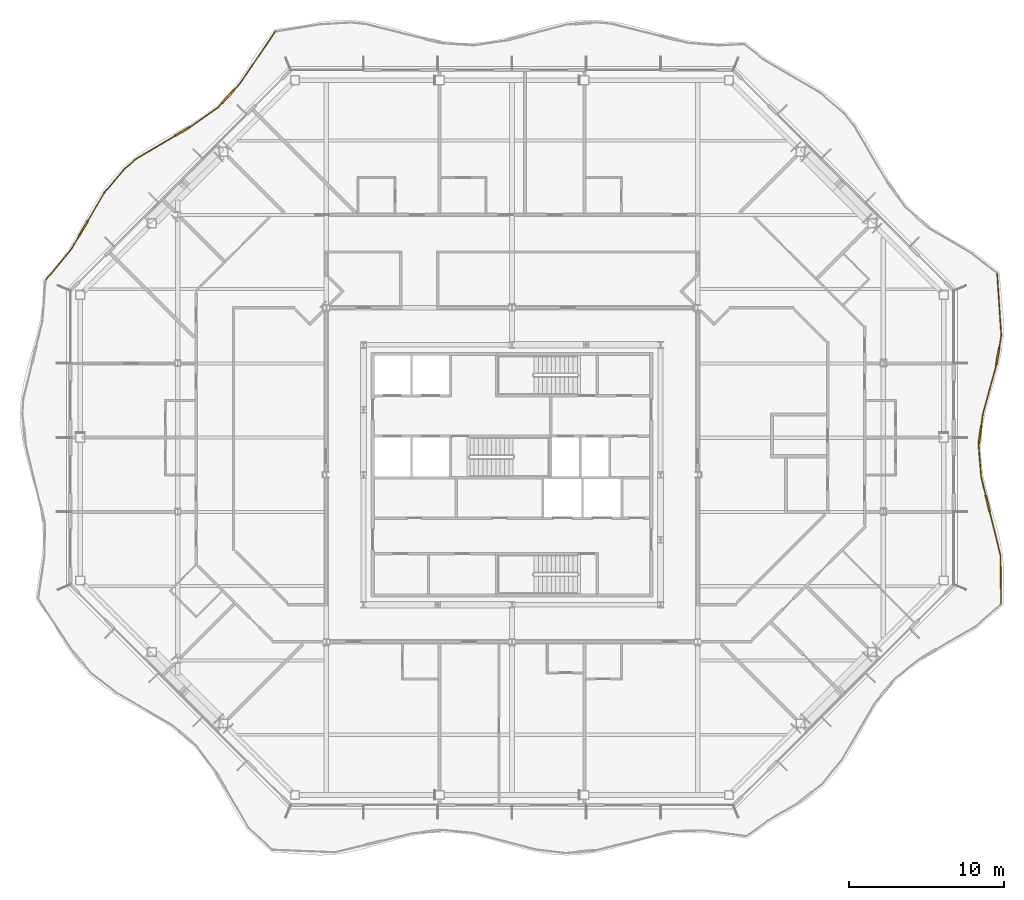
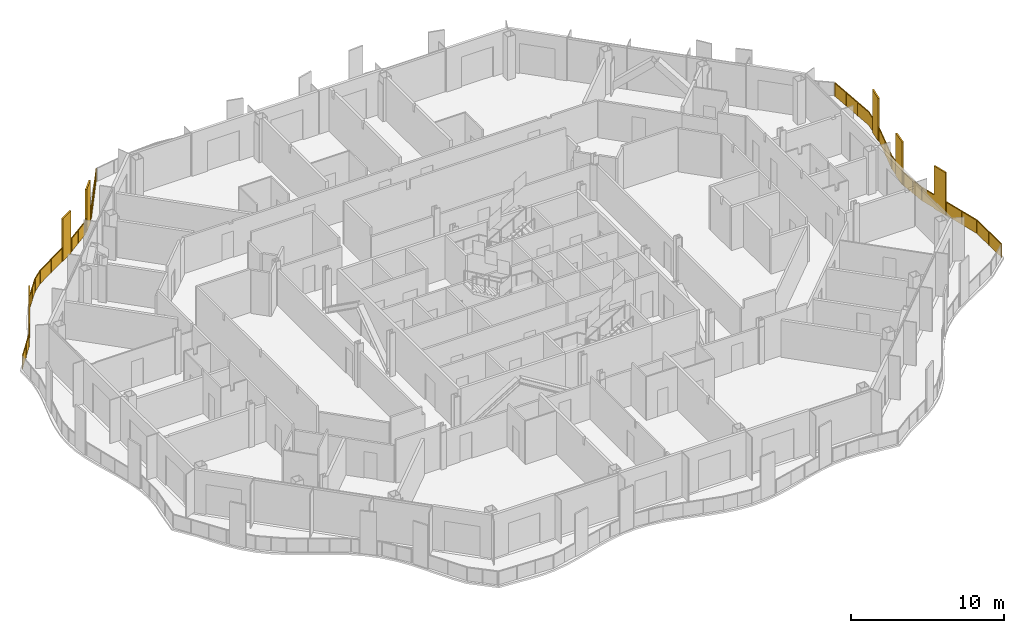
# One storey, part 19 of 20: 2 railings.
"""IFC4 building model written with IfcOpenShell, lengths in metres."""

from ifc_helpers import new_model, si_unit, direction, frame, origin, origin_2d, place, context, subcontext, project, spatial, polyline, rectangle, outline, extrude, material, type_object, element, save


model = new_model("IFC4")

# Units and contexts
model_context = context("Model", 3, precision=1e-05, world=origin(), true_north=direction((0.0, 1.0)))
body_context = subcontext(model_context, "Body", "Model", "MODEL_VIEW")
ifc_project = project(units=[si_unit("LENGTHUNIT", "METRE"), si_unit("AREAUNIT", "SQUARE_METRE"), si_unit("VOLUMEUNIT", "CUBIC_METRE"), si_unit("PLANEANGLEUNIT", "RADIAN"), si_unit("MASSUNIT", "GRAM", prefix="KILO")], contexts=[model_context])

# Site, building, storey
site_placement = place(None, origin())
site = spatial("IfcSite", under=ifc_project, at=site_placement, CompositionType="ELEMENT")
building_placement = place(site_placement, origin())
building = spatial("IfcBuilding", under=site, at=building_placement, Name="Cairn Pilgrim Tower", CompositionType="ELEMENT")
storey_placement = place(building_placement, frame((0.0, 0.0, 165.0)))
storey = spatial("IfcBuildingStorey", under=building, at=storey_placement, Name="L41", CompositionType="ELEMENT", Elevation=165.0)

# Railings
ifc_material = material(Name="Bronze anodised aluminium rail, posts and fin screens with laminated glass infill", Category="aluminium")
railing_type = type_object("IfcRailingType", Name="BALCONY GUARD WITH FIN SCREENS", PredefinedType="GUARDRAIL", material=ifc_material)
railing_1_placement = place(storey_placement, frame((38.80908203125, -5.958740234375, 0.0)))
element("IfcRailing", 1, at=railing_1_placement, inside=storey, type_object=railing_type, Name="Balcony guard BGF-3 with fin screens", PredefinedType="GUARDRAIL", context=body_context, shape_type="SweptSolid", body=[
    extrude(rectangle(XDim=0.050048828125, YDim=0.050048828125, at=origin_2d()), frame((0.0, 0.0, 1.0751953125), z_axis=(-0.012280859678, 0.999924587399, 0.0), x_axis=(-0.999924587399, -0.012280859678, 0.0)), (0.0, 0.0, 1.0), 3.160888671875),
    extrude(rectangle(XDim=1.10009765625, YDim=0.110107421875, at=origin_2d()), frame((-0.863525390625, 6.5009765625, 0.0), z_axis=(0.0, 0.0, 1.0), x_axis=(-0.239728091287, 0.970840070376, 0.0)), (0.0, 0.0, 1.0), 3.39990234375),
    extrude(rectangle(XDim=0.050048828125, YDim=0.050048828125, at=origin_2d()), frame((-0.038818359375, 3.16064453125, 1.0751953125), z_axis=(-0.239728091287, 0.970840070376, 0.0), x_axis=(-0.970840070376, -0.239728091287, 0.0)), (0.0, 0.0, 1.0), 2.890625),
    extrude(rectangle(XDim=0.050048828125, YDim=0.050048828125, at=origin_2d()), frame((-0.995361328125, 7.034912109375, 1.0751953125), z_axis=(-0.239728091287, 0.970840070376, 0.0), x_axis=(-0.970840070376, -0.239728091287, 0.0)), (0.0, 0.0, 1.0), 1.208251953125),
    extrude(rectangle(XDim=0.050048828125, YDim=0.050048828125, at=origin_2d()), frame((-1.28515625, 8.2080078125, 1.0751953125), z_axis=(-0.083094599713, 0.996541663704, 0.0), x_axis=(-0.996541663704, -0.083094599713, 0.0)), (0.0, 0.0, 1.0), 2.056640625),
    extrude(rectangle(XDim=1.10009765625, YDim=0.110107421875, at=origin_2d()), frame((-1.36083984375, 10.950927734375, 0.0), z_axis=(0.0, 0.0, 1.0), x_axis=(0.135977747115, 0.990711891667, 0.0)), (0.0, 0.0, 1.0), 3.39990234375),
    extrude(rectangle(XDim=0.050048828125, YDim=0.050048828125, at=origin_2d()), frame((-1.4560546875, 10.257568359375, 1.0751953125), z_axis=(0.135977747115, 0.990711891667, 0.0), x_axis=(-0.990711891667, 0.135977747115, 0.0)), (0.0, 0.0, 1.0), 0.14990234375),
    extrude(rectangle(XDim=0.050048828125, YDim=0.050048828125, at=origin_2d()), frame((-1.2861328125, 11.495849609375, 1.0751953125), z_axis=(0.135977747115, 0.990711891667, 0.0), x_axis=(-0.990711891667, 0.135977747115, 0.0)), (0.0, 0.0, 1.0), 0.816650390625),
    extrude(rectangle(XDim=0.050048828125, YDim=0.050048828125, at=origin_2d()), frame((-1.175048828125, 12.304931640625, 1.0751953125), z_axis=(0.266547734682, 0.963821718543, 0.0), x_axis=(-0.963821718543, 0.266547734682, 0.0)), (0.0, 0.0, 1.0), 3.148193359375),
    extrude(rectangle(XDim=1.10009765625, YDim=0.110107421875, at=origin_2d()), frame((-0.21484375, 16.028564453125, 0.0), z_axis=(0.0, 0.0, 1.0), x_axis=(0.172871240221, 0.98494443209, 0.0)), (0.0, 0.0, 1.0), 3.39990234375),
    extrude(rectangle(XDim=0.050048828125, YDim=0.050048828125, at=origin_2d()), frame((-0.3359375, 15.339111328125, 1.0751953125), z_axis=(0.172871240221, 0.98494443209, 0.0), x_axis=(-0.98494443209, 0.172871240221, 0.0)), (0.0, 0.0, 1.0), 0.150146484375),
    extrude(rectangle(XDim=0.050048828125, YDim=0.050048828125, at=origin_2d()), frame((-0.119873046875, 16.5703125, 1.0751953125), z_axis=(0.172871240221, 0.98494443209, 0.0), x_axis=(-0.98494443209, 0.172871240221, 0.0)), (0.0, 0.0, 1.0), 0.776611328125),
    extrude(rectangle(XDim=0.050048828125, YDim=0.050048828125, at=origin_2d()), frame((0.014404296875, 17.335205078125, 1.0751953125), z_axis=(-0.066183899104, 0.997807442095, 0.0), x_axis=(-0.997807442095, -0.066183899104, 0.0)), (0.0, 0.0, 1.0), 4.013427734375),
    extrude(rectangle(XDim=0.050048828125, YDim=0.050048828125, at=origin_2d()), origin(), (0.0, 0.0, 1.0), 1.050048828125),
    extrude(rectangle(XDim=0.050048828125, YDim=0.050048828125, at=origin_2d()), frame((-0.01953125, 1.580322265625, 0.0)), (0.0, 0.0, 1.0), 1.050048828125),
    extrude(rectangle(XDim=0.050048828125, YDim=0.050048828125, at=origin_2d()), frame((-0.038818359375, 3.16064453125, 0.0)), (0.0, 0.0, 1.0), 1.050048828125),
    extrude(rectangle(XDim=0.050048828125, YDim=0.050048828125, at=origin_2d()), frame((-0.38232421875, 4.5517578125, 0.0)), (0.0, 0.0, 1.0), 1.050048828125),
    extrude(rectangle(XDim=0.050048828125, YDim=0.050048828125, at=origin_2d()), frame((-0.725830078125, 5.942626953125, 0.0)), (0.0, 0.0, 1.0), 1.050048828125),
    extrude(rectangle(XDim=0.050048828125, YDim=0.050048828125, at=origin_2d()), frame((-1.00146484375, 7.05908203125, 0.0)), (0.0, 0.0, 1.0), 1.050048828125),
    extrude(rectangle(XDim=0.050048828125, YDim=0.050048828125, at=origin_2d()), frame((-1.28515625, 8.2080078125, 0.0)), (0.0, 0.0, 1.0), 1.050048828125),
    extrude(rectangle(XDim=0.050048828125, YDim=0.050048828125, at=origin_2d()), frame((-1.37060546875, 9.23291015625, 0.0)), (0.0, 0.0, 1.0), 1.050048828125),
    extrude(rectangle(XDim=0.050048828125, YDim=0.050048828125, at=origin_2d()), frame((-1.4560546875, 10.257568359375, 0.0)), (0.0, 0.0, 1.0), 1.050048828125),
    extrude(rectangle(XDim=0.050048828125, YDim=0.050048828125, at=origin_2d()), frame((-1.43896484375, 10.38134765625, 0.0)), (0.0, 0.0, 1.0), 1.050048828125),
    extrude(rectangle(XDim=0.050048828125, YDim=0.050048828125, at=origin_2d()), frame((-1.28271484375, 11.520751953125, 0.0)), (0.0, 0.0, 1.0), 1.050048828125),
    extrude(rectangle(XDim=0.050048828125, YDim=0.050048828125, at=origin_2d()), frame((-1.175048828125, 12.304931640625, 0.0)), (0.0, 0.0, 1.0), 1.050048828125),
    extrude(rectangle(XDim=0.050048828125, YDim=0.050048828125, at=origin_2d()), frame((-0.75537109375, 13.822021484375, 0.0)), (0.0, 0.0, 1.0), 1.050048828125),
    extrude(rectangle(XDim=0.050048828125, YDim=0.050048828125, at=origin_2d()), frame((-0.3359375, 15.339111328125, 0.0)), (0.0, 0.0, 1.0), 1.050048828125),
    extrude(rectangle(XDim=0.050048828125, YDim=0.050048828125, at=origin_2d()), frame((-0.314208984375, 15.462158203125, 0.0)), (0.0, 0.0, 1.0), 1.050048828125),
    extrude(rectangle(XDim=0.050048828125, YDim=0.050048828125, at=origin_2d()), frame((-0.115478515625, 16.594970703125, 0.0)), (0.0, 0.0, 1.0), 1.050048828125),
    extrude(rectangle(XDim=0.050048828125, YDim=0.050048828125, at=origin_2d()), frame((0.014404296875, 17.335205078125, 0.0)), (0.0, 0.0, 1.0), 1.050048828125),
    extrude(rectangle(XDim=0.050048828125, YDim=0.050048828125, at=origin_2d()), frame((-0.07421875, 18.670166015625, 0.0)), (0.0, 0.0, 1.0), 1.050048828125),
    extrude(rectangle(XDim=0.050048828125, YDim=0.050048828125, at=origin_2d()), frame((-0.16259765625, 20.0048828125, 0.0)), (0.0, 0.0, 1.0), 1.050048828125),
    extrude(rectangle(XDim=0.050048828125, YDim=0.050048828125, at=origin_2d()), frame((-0.251220703125, 21.33984375, 0.0)), (0.0, 0.0, 1.0), 1.050048828125),
    extrude(outline(polyline([(0.02490234375, 0.0), (1.555419921875, 0.0), (1.555419921875, 1.050048828125), (0.02490234375, 1.050048828125), (0.02490234375, 0.0)])), frame((-0.005859375, 0.0, 0.0), z_axis=(0.999924587399, 0.012280859678, 0.0), x_axis=(-0.012280859678, 0.999924587399, 0.0)), (0.0, 0.0, 1.0), 0.011962890625),
    extrude(outline(polyline([(0.02490234375, 0.0), (1.555419921875, 0.0), (1.555419921875, 1.050048828125), (0.02490234375, 1.050048828125), (0.02490234375, 0.0)])), frame((-0.025390625, 1.580322265625, 0.0), z_axis=(0.999924587399, 0.012280859678, 0.0), x_axis=(-0.012280859678, 0.999924587399, 0.0)), (0.0, 0.0, 1.0), 0.011962890625),
    extrude(outline(polyline([(0.02490234375, 0.0), (1.40771484375, 0.0), (1.40771484375, 1.050048828125), (0.02490234375, 1.050048828125), (0.02490234375, 0.0)])), frame((-0.044677734375, 3.1591796875, 0.0), z_axis=(0.970840070376, 0.239728091287, 0.0), x_axis=(-0.239728091287, 0.970840070376, 0.0)), (0.0, 0.0, 1.0), 0.011962890625),
    extrude(outline(polyline([(0.02490234375, 0.0), (1.40771484375, 0.0), (1.40771484375, 1.050048828125), (0.02490234375, 1.050048828125), (0.02490234375, 0.0)])), frame((-0.38818359375, 4.55029296875, 0.0), z_axis=(0.970840070376, 0.239728091287, 0.0), x_axis=(-0.239728091287, 0.970840070376, 0.0)), (0.0, 0.0, 1.0), 0.011962890625),
    extrude(outline(polyline([(0.02490234375, 0.0), (1.158203125, 0.0), (1.158203125, 1.050048828125), (0.02490234375, 1.050048828125), (0.02490234375, 0.0)])), frame((-1.00732421875, 7.057861328125, 0.0), z_axis=(0.970840070376, 0.239728091287, 0.0), x_axis=(-0.239728091287, 0.970840070376, 0.0)), (0.0, 0.0, 1.0), 0.011962890625),
    extrude(outline(polyline([(0.02490234375, 0.0), (1.00341796875, 0.0), (1.00341796875, 1.050048828125), (0.02490234375, 1.050048828125), (0.02490234375, 0.0)])), frame((-1.291015625, 8.20751953125, 0.0), z_axis=(0.996541663704, 0.083094599713, 0.0), x_axis=(-0.083094599713, 0.996541663704, 0.0)), (0.0, 0.0, 1.0), 0.011962890625),
    extrude(outline(polyline([(0.02490234375, 0.0), (1.00341796875, 0.0), (1.00341796875, 1.050048828125), (0.02490234375, 1.050048828125), (0.02490234375, 0.0)])), frame((-1.37646484375, 9.232177734375, 0.0), z_axis=(0.996541663704, 0.083094599713, 0.0), x_axis=(-0.083094599713, 0.996541663704, 0.0)), (0.0, 0.0, 1.0), 0.011962890625),
    extrude(outline(polyline([(0.02490234375, 0.0), (0.099853515625, 0.0), (0.099853515625, 1.050048828125), (0.02490234375, 1.050048828125), (0.02490234375, 0.0)])), frame((-1.4619140625, 10.25830078125, 0.0), z_axis=(0.990711891667, -0.135977747115, 0.0), x_axis=(0.135977747115, 0.990711891667, 0.0)), (0.0, 0.0, 1.0), 0.011962890625),
    extrude(outline(polyline([(0.02490234375, 0.0), (0.7666015625, 0.0), (0.7666015625, 1.050048828125), (0.02490234375, 1.050048828125), (0.02490234375, 0.0)])), frame((-1.28857421875, 11.521484375, 0.0), z_axis=(0.990711891667, -0.135977747115, 0.0), x_axis=(0.135977747115, 0.990711891667, 0.0)), (0.0, 0.0, 1.0), 0.011962890625),
    extrude(outline(polyline([(0.02490234375, 0.0), (1.549072265625, 0.0), (1.549072265625, 1.050048828125), (0.02490234375, 1.050048828125), (0.02490234375, 0.0)])), frame((-1.180908203125, 12.306640625, 0.0), z_axis=(0.963821718543, -0.266547734682, 0.0), x_axis=(0.266547734682, 0.963821718543, 0.0)), (0.0, 0.0, 1.0), 0.011962890625),
    extrude(outline(polyline([(0.02490234375, 0.0), (1.549072265625, 0.0), (1.549072265625, 1.050048828125), (0.02490234375, 1.050048828125), (0.02490234375, 0.0)])), frame((-0.76123046875, 13.82373046875, 0.0), z_axis=(0.963821718543, -0.266547734682, 0.0), x_axis=(0.266547734682, 0.963821718543, 0.0)), (0.0, 0.0, 1.0), 0.011962890625),
    extrude(outline(polyline([(0.02490234375, 0.0), (0.10009765625, 0.0), (0.10009765625, 1.050048828125), (0.02490234375, 1.050048828125), (0.02490234375, 0.0)])), frame((-0.341796875, 15.340087890625, 0.0), z_axis=(0.98494443209, -0.172871240221, 0.0), x_axis=(0.172871240221, 0.98494443209, 0.0)), (0.0, 0.0, 1.0), 0.011962890625),
    extrude(outline(polyline([(0.02490234375, 0.0), (0.7265625, 0.0), (0.7265625, 1.050048828125), (0.02490234375, 1.050048828125), (0.02490234375, 0.0)])), frame((-0.121337890625, 16.595947265625, 0.0), z_axis=(0.98494443209, -0.172871240221, 0.0), x_axis=(0.172871240221, 0.98494443209, 0.0)), (0.0, 0.0, 1.0), 0.011962890625),
    extrude(outline(polyline([(0.02490234375, 0.0), (1.312744140625, 0.0), (1.312744140625, 1.050048828125), (0.02490234375, 1.050048828125), (0.02490234375, 0.0)])), frame((0.008544921875, 17.334716796875, 0.0), z_axis=(0.997807442095, 0.066183899104, 0.0), x_axis=(-0.066183899104, 0.997807442095, 0.0)), (0.0, 0.0, 1.0), 0.011962890625),
    extrude(outline(polyline([(0.02490234375, 0.0), (1.312744140625, 0.0), (1.312744140625, 1.050048828125), (0.02490234375, 1.050048828125), (0.02490234375, 0.0)])), frame((-0.080078125, 18.669677734375, 0.0), z_axis=(0.997807442095, 0.066183899104, 0.0), x_axis=(-0.066183899104, 0.997807442095, 0.0)), (0.0, 0.0, 1.0), 0.011962890625),
    extrude(outline(polyline([(0.02490234375, 0.0), (1.312744140625, 0.0), (1.312744140625, 1.050048828125), (0.02490234375, 1.050048828125), (0.02490234375, 0.0)])), frame((-0.168701171875, 20.004638671875, 0.0), z_axis=(0.997807442095, 0.066183899104, 0.0), x_axis=(-0.066183899104, 0.997807442095, 0.0)), (0.0, 0.0, 1.0), 0.011962890625),
])
railing_2_placement = place(storey_placement, frame((-8.101318359375, 31.050048828125, 0.0)))
element("IfcRailing", 2, at=railing_2_placement, inside=storey, type_object=railing_type, Name="Balcony guard BGF-6 with fin screens", PredefinedType="GUARDRAIL", context=body_context, shape_type="SweptSolid", body=[
    extrude(rectangle(XDim=0.050048828125, YDim=0.050048828125, at=origin_2d()), frame((0.0, 0.0, 1.0751953125), z_axis=(-0.561392691301, -0.827549543021, 0.0), x_axis=(0.827549543021, -0.561392691301, 0.0)), (0.0, 0.0, 1.0), 4.0634765625),
    extrude(rectangle(XDim=1.10009765625, YDim=0.110107421875, at=origin_2d()), frame((-3.072998046875, -4.228271484375, 0.0), z_axis=(0.0, 0.0, 1.0), x_axis=(-0.674905306533, -0.737904348282, 0.0)), (0.0, 0.0, 1.0), 3.39990234375),
    extrude(rectangle(XDim=0.050048828125, YDim=0.050048828125, at=origin_2d()), frame((-2.28125, -3.36279296875, 1.0751953125), z_axis=(-0.674905306533, -0.737904348282, 0.0), x_axis=(0.737904348282, -0.674905306533, 0.0)), (0.0, 0.0, 1.0), 0.623046875),
    extrude(rectangle(XDim=0.050048828125, YDim=0.050048828125, at=origin_2d()), frame((-3.444091796875, -4.63427734375, 1.0751953125), z_axis=(-0.674905306533, -0.737904348282, 0.0), x_axis=(0.737904348282, -0.674905306533, 0.0)), (0.0, 0.0, 1.0), 0.342529296875),
    extrude(rectangle(XDim=0.050048828125, YDim=0.050048828125, at=origin_2d()), frame((-3.67529296875, -4.886962890625, 1.0751953125), z_axis=(-0.816802599354, -0.576917250295, 0.0), x_axis=(0.576917250295, -0.816802599354, 0.0)), (0.0, 0.0, 1.0), 2.08837890625),
    extrude(rectangle(XDim=1.10009765625, YDim=0.110107421875, at=origin_2d()), frame((-5.98291015625, -6.449462890625, 0.0), z_axis=(0.0, 0.0, 1.0), x_axis=(-0.859590451173, -0.510983616423, 0.0)), (0.0, 0.0, 1.0), 3.39990234375),
    extrude(rectangle(XDim=0.050048828125, YDim=0.050048828125, at=origin_2d()), frame((-5.381103515625, -6.091796875, 1.0751953125), z_axis=(-0.859590451173, -0.510983616423, 0.0), x_axis=(0.510983616423, -0.859590451173, 0.0)), (0.0, 0.0, 1.0), 0.14990234375),
    extrude(rectangle(XDim=0.050048828125, YDim=0.050048828125, at=origin_2d()), frame((-6.45556640625, -6.73046875, 1.0751953125), z_axis=(-0.859590451173, -0.510983616423, 0.0), x_axis=(0.510983616423, -0.859590451173, 0.0)), (0.0, 0.0, 1.0), 2.9462890625),
    extrude(rectangle(XDim=0.050048828125, YDim=0.050048828125, at=origin_2d()), frame((-8.98828125, -8.236083984375, 1.0751953125), z_axis=(-0.765120746252, -0.643886825191, 0.0), x_axis=(0.643886825191, -0.765120746252, 0.0)), (0.0, 0.0, 1.0), 0.996826171875),
    extrude(rectangle(XDim=0.050048828125, YDim=0.050048828125, at=origin_2d()), frame((-9.7509765625, -8.8779296875, 1.0751953125), z_axis=(-0.644742833772, -0.764399554095, 0.0), x_axis=(0.764399554095, -0.644742833772, 0.0)), (0.0, 0.0, 1.0), 2.017822265625),
    extrude(rectangle(XDim=1.10009765625, YDim=0.110107421875, at=origin_2d()), frame((-12.4013671875, -12.735107421875, 0.0), z_axis=(0.0, 0.0, 1.0), x_axis=(-0.503618682683, -0.863926051496, 0.0)), (0.0, 0.0, 1.0), 3.39990234375),
    extrude(rectangle(XDim=0.050048828125, YDim=0.050048828125, at=origin_2d()), frame((-11.052001953125, -10.42041015625, 1.0751953125), z_axis=(-0.503618682683, -0.863926051496, 0.0), x_axis=(0.863926051496, -0.503618682683, 0.0)), (0.0, 0.0, 1.0), 2.129150390625),
    extrude(rectangle(XDim=0.050048828125, YDim=0.050048828125, at=origin_2d()), frame((-12.67822265625, -13.210205078125, 1.0751953125), z_axis=(-0.503618682683, -0.863926051496, 0.0), x_axis=(0.863926051496, -0.503618682683, 0.0)), (0.0, 0.0, 1.0), 0.98193359375),
    extrude(rectangle(XDim=0.050048828125, YDim=0.050048828125, at=origin_2d()), frame((-13.1728515625, -14.05859375, 1.0751953125), z_axis=(-0.637915043438, -0.77010674413, 0.0), x_axis=(0.77010674413, -0.637915043438, 0.0)), (0.0, 0.0, 1.0), 2.574462890625),
    extrude(rectangle(XDim=0.050048828125, YDim=0.050048828125, at=origin_2d()), origin(), (0.0, 0.0, 1.0), 1.050048828125),
    extrude(rectangle(XDim=0.050048828125, YDim=0.050048828125, at=origin_2d()), frame((-0.760498046875, -1.120849609375, 0.0)), (0.0, 0.0, 1.0), 1.050048828125),
    extrude(rectangle(XDim=0.050048828125, YDim=0.050048828125, at=origin_2d()), frame((-1.520751953125, -2.241943359375, 0.0)), (0.0, 0.0, 1.0), 1.050048828125),
    extrude(rectangle(XDim=0.050048828125, YDim=0.050048828125, at=origin_2d()), frame((-2.28125, -3.36279296875, 0.0)), (0.0, 0.0, 1.0), 1.050048828125),
    extrude(rectangle(XDim=0.050048828125, YDim=0.050048828125, at=origin_2d()), frame((-2.684814453125, -3.803955078125, 0.0)), (0.0, 0.0, 1.0), 1.050048828125),
    extrude(rectangle(XDim=0.050048828125, YDim=0.050048828125, at=origin_2d()), frame((-3.4609375, -4.652587890625, 0.0)), (0.0, 0.0, 1.0), 1.050048828125),
    extrude(rectangle(XDim=0.050048828125, YDim=0.050048828125, at=origin_2d()), frame((-3.67529296875, -4.886962890625, 0.0)), (0.0, 0.0, 1.0), 1.050048828125),
    extrude(rectangle(XDim=0.050048828125, YDim=0.050048828125, at=origin_2d()), frame((-4.5283203125, -5.4892578125, 0.0)), (0.0, 0.0, 1.0), 1.050048828125),
    extrude(rectangle(XDim=0.050048828125, YDim=0.050048828125, at=origin_2d()), frame((-5.381103515625, -6.091796875, 0.0)), (0.0, 0.0, 1.0), 1.050048828125),
    extrude(rectangle(XDim=0.050048828125, YDim=0.050048828125, at=origin_2d()), frame((-5.488525390625, -6.15576171875, 0.0)), (0.0, 0.0, 1.0), 1.050048828125),
    extrude(rectangle(XDim=0.050048828125, YDim=0.050048828125, at=origin_2d()), frame((-6.47705078125, -6.743408203125, 0.0)), (0.0, 0.0, 1.0), 1.050048828125),
    extrude(rectangle(XDim=0.050048828125, YDim=0.050048828125, at=origin_2d()), frame((-7.732666015625, -7.48974609375, 0.0)), (0.0, 0.0, 1.0), 1.050048828125),
    extrude(rectangle(XDim=0.050048828125, YDim=0.050048828125, at=origin_2d()), frame((-8.98828125, -8.236083984375, 0.0)), (0.0, 0.0, 1.0), 1.050048828125),
    extrude(rectangle(XDim=0.050048828125, YDim=0.050048828125, at=origin_2d()), frame((-9.7509765625, -8.8779296875, 0.0)), (0.0, 0.0, 1.0), 1.050048828125),
    extrude(rectangle(XDim=0.050048828125, YDim=0.050048828125, at=origin_2d()), frame((-10.4013671875, -9.649169921875, 0.0)), (0.0, 0.0, 1.0), 1.050048828125),
    extrude(rectangle(XDim=0.050048828125, YDim=0.050048828125, at=origin_2d()), frame((-11.052001953125, -10.42041015625, 0.0)), (0.0, 0.0, 1.0), 1.050048828125),
    extrude(rectangle(XDim=0.050048828125, YDim=0.050048828125, at=origin_2d()), frame((-11.581787109375, -11.329345703125, 0.0)), (0.0, 0.0, 1.0), 1.050048828125),
    extrude(rectangle(XDim=0.050048828125, YDim=0.050048828125, at=origin_2d()), frame((-12.11181640625, -12.23828125, 0.0)), (0.0, 0.0, 1.0), 1.050048828125),
    extrude(rectangle(XDim=0.050048828125, YDim=0.050048828125, at=origin_2d()), frame((-12.69091796875, -13.231689453125, 0.0)), (0.0, 0.0, 1.0), 1.050048828125),
    extrude(rectangle(XDim=0.050048828125, YDim=0.050048828125, at=origin_2d()), frame((-13.1728515625, -14.05859375, 0.0)), (0.0, 0.0, 1.0), 1.050048828125),
    extrude(rectangle(XDim=0.050048828125, YDim=0.050048828125, at=origin_2d()), frame((-13.994140625, -15.0498046875, 0.0)), (0.0, 0.0, 1.0), 1.050048828125),
    extrude(rectangle(XDim=0.050048828125, YDim=0.050048828125, at=origin_2d()), frame((-14.815185546875, -16.041259765625, 0.0)), (0.0, 0.0, 1.0), 1.050048828125),
    extrude(outline(polyline([(0.02490234375, 0.0), (1.32958984375, 0.0), (1.32958984375, 1.050048828125), (0.02490234375, 1.050048828125), (0.02490234375, 0.0)])), frame((0.0048828125, -0.00341796875, 0.0), z_axis=(-0.827549543021, 0.561392691301, 0.0), x_axis=(-0.561392691301, -0.827549543021, 0.0)), (0.0, 0.0, 1.0), 0.011962890625),
    extrude(outline(polyline([(0.02490234375, 0.0), (1.32958984375, 0.0), (1.32958984375, 1.050048828125), (0.02490234375, 1.050048828125), (0.02490234375, 0.0)])), frame((-0.75537109375, -1.124267578125, 0.0), z_axis=(-0.827549543021, 0.561392691301, 0.0), x_axis=(-0.561392691301, -0.827549543021, 0.0)), (0.0, 0.0, 1.0), 0.011962890625),
    extrude(outline(polyline([(0.02490234375, 0.0), (1.32958984375, 0.0), (1.32958984375, 1.050048828125), (0.02490234375, 1.050048828125), (0.02490234375, 0.0)])), frame((-1.515869140625, -2.2451171875, 0.0), z_axis=(-0.827549543021, 0.561392691301, 0.0), x_axis=(-0.561392691301, -0.827549543021, 0.0)), (0.0, 0.0, 1.0), 0.011962890625),
    extrude(outline(polyline([(0.02490234375, 0.0), (0.572998046875, 0.0), (0.572998046875, 1.050048828125), (0.02490234375, 1.050048828125), (0.02490234375, 0.0)])), frame((-2.27685546875, -3.366943359375, 0.0), z_axis=(-0.737904348282, 0.674905306533, 0.0), x_axis=(-0.674905306533, -0.737904348282, 0.0)), (0.0, 0.0, 1.0), 0.011962890625),
    extrude(outline(polyline([(0.02490234375, 0.0), (0.29248046875, 0.0), (0.29248046875, 1.050048828125), (0.02490234375, 1.050048828125), (0.02490234375, 0.0)])), frame((-3.45654296875, -4.65673828125, 0.0), z_axis=(-0.737904348282, 0.674905306533, 0.0), x_axis=(-0.674905306533, -0.737904348282, 0.0)), (0.0, 0.0, 1.0), 0.011962890625),
    extrude(outline(polyline([(0.02490234375, 0.0), (1.019287109375, 0.0), (1.019287109375, 1.050048828125), (0.02490234375, 1.050048828125), (0.02490234375, 0.0)])), frame((-3.671875, -4.891845703125, 0.0), z_axis=(-0.576917250295, 0.816802599354, 0.0), x_axis=(-0.816802599354, -0.576917250295, 0.0)), (0.0, 0.0, 1.0), 0.011962890625),
    extrude(outline(polyline([(0.02490234375, 0.0), (1.019287109375, 0.0), (1.019287109375, 1.050048828125), (0.02490234375, 1.050048828125), (0.02490234375, 0.0)])), frame((-4.524658203125, -5.494384765625, 0.0), z_axis=(-0.576917250295, 0.816802599354, 0.0), x_axis=(-0.816802599354, -0.576917250295, 0.0)), (0.0, 0.0, 1.0), 0.011962890625),
    extrude(outline(polyline([(0.02490234375, 0.0), (0.099853515625, 0.0), (0.099853515625, 1.050048828125), (0.02490234375, 1.050048828125), (0.02490234375, 0.0)])), frame((-5.3779296875, -6.096923828125, 0.0), z_axis=(-0.510983616423, 0.859590451173, 0.0), x_axis=(-0.859590451173, -0.510983616423, 0.0)), (0.0, 0.0, 1.0), 0.011962890625),
    extrude(outline(polyline([(0.02490234375, 0.0), (1.435546875, 0.0), (1.435546875, 1.050048828125), (0.02490234375, 1.050048828125), (0.02490234375, 0.0)])), frame((-6.47412109375, -6.74853515625, 0.0), z_axis=(-0.510983616423, 0.859590451173, 0.0), x_axis=(-0.859590451173, -0.510983616423, 0.0)), (0.0, 0.0, 1.0), 0.011962890625),
    extrude(outline(polyline([(0.02490234375, 0.0), (1.435546875, 0.0), (1.435546875, 1.050048828125), (0.02490234375, 1.050048828125), (0.02490234375, 0.0)])), frame((-7.729736328125, -7.494873046875, 0.0), z_axis=(-0.510983616423, 0.859590451173, 0.0), x_axis=(-0.859590451173, -0.510983616423, 0.0)), (0.0, 0.0, 1.0), 0.011962890625),
    extrude(outline(polyline([(0.02490234375, 0.0), (0.971923828125, 0.0), (0.971923828125, 1.050048828125), (0.02490234375, 1.050048828125), (0.02490234375, 0.0)])), frame((-8.984375, -8.24072265625, 0.0), z_axis=(-0.643886825191, 0.765120746252, 0.0), x_axis=(-0.765120746252, -0.643886825191, 0.0)), (0.0, 0.0, 1.0), 0.011962890625),
    extrude(outline(polyline([(0.02490234375, 0.0), (0.98388671875, 0.0), (0.98388671875, 1.050048828125), (0.02490234375, 1.050048828125), (0.02490234375, 0.0)])), frame((-9.746337890625, -8.8818359375, 0.0), z_axis=(-0.764399554095, 0.644742833772, 0.0), x_axis=(-0.644742833772, -0.764399554095, 0.0)), (0.0, 0.0, 1.0), 0.011962890625),
    extrude(outline(polyline([(0.02490234375, 0.0), (0.98388671875, 0.0), (0.98388671875, 1.050048828125), (0.02490234375, 1.050048828125), (0.02490234375, 0.0)])), frame((-10.39697265625, -9.653076171875, 0.0), z_axis=(-0.764399554095, 0.644742833772, 0.0), x_axis=(-0.644742833772, -0.764399554095, 0.0)), (0.0, 0.0, 1.0), 0.011962890625),
    extrude(outline(polyline([(0.02490234375, 0.0), (1.027099609375, 0.0), (1.027099609375, 1.050048828125), (0.02490234375, 1.050048828125), (0.02490234375, 0.0)])), frame((-11.046875, -10.42333984375, 0.0), z_axis=(-0.863926051496, 0.503618682683, 0.0), x_axis=(-0.503618682683, -0.863926051496, 0.0)), (0.0, 0.0, 1.0), 0.011962890625),
    extrude(outline(polyline([(0.02490234375, 0.0), (1.027099609375, 0.0), (1.027099609375, 1.050048828125), (0.02490234375, 1.050048828125), (0.02490234375, 0.0)])), frame((-11.57666015625, -11.332275390625, 0.0), z_axis=(-0.863926051496, 0.503618682683, 0.0), x_axis=(-0.503618682683, -0.863926051496, 0.0)), (0.0, 0.0, 1.0), 0.011962890625),
    extrude(outline(polyline([(0.02490234375, 0.0), (0.931884765625, 0.0), (0.931884765625, 1.050048828125), (0.02490234375, 1.050048828125), (0.02490234375, 0.0)])), frame((-12.685791015625, -13.23486328125, 0.0), z_axis=(-0.863926051496, 0.503618682683, 0.0), x_axis=(-0.503618682683, -0.863926051496, 0.0)), (0.0, 0.0, 1.0), 0.011962890625),
    extrude(outline(polyline([(0.02490234375, 0.0), (1.26220703125, 0.0), (1.26220703125, 1.050048828125), (0.02490234375, 1.050048828125), (0.02490234375, 0.0)])), frame((-13.168212890625, -14.0625, 0.0), z_axis=(-0.77010674413, 0.637915043438, 0.0), x_axis=(-0.637915043438, -0.77010674413, 0.0)), (0.0, 0.0, 1.0), 0.011962890625),
    extrude(outline(polyline([(0.02490234375, 0.0), (1.26220703125, 0.0), (1.26220703125, 1.050048828125), (0.02490234375, 1.050048828125), (0.02490234375, 0.0)])), frame((-13.989501953125, -15.0537109375, 0.0), z_axis=(-0.77010674413, 0.637915043438, 0.0), x_axis=(-0.637915043438, -0.77010674413, 0.0)), (0.0, 0.0, 1.0), 0.011962890625),
])

save(model, "model.ifc")
